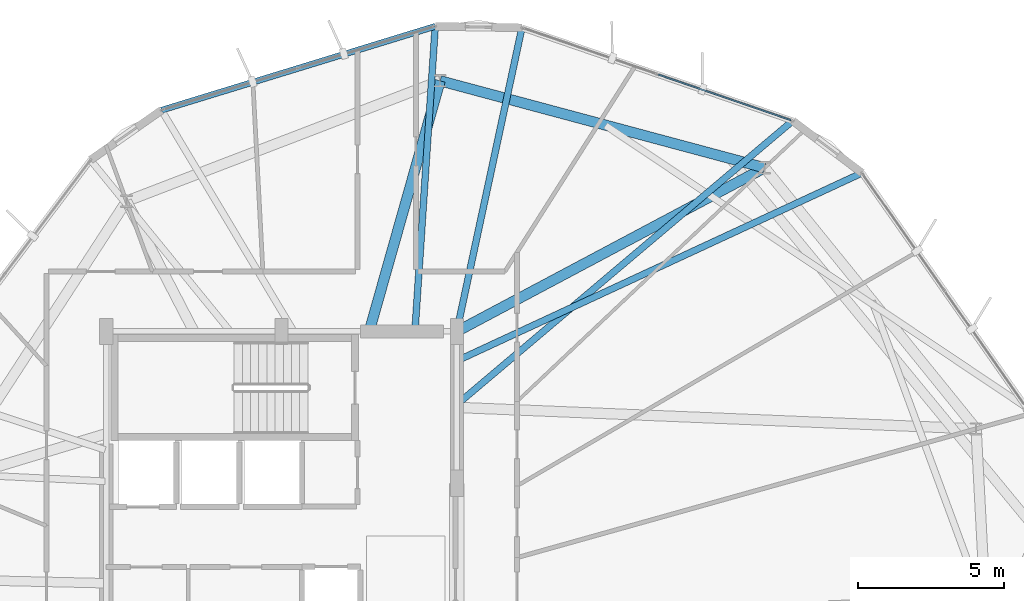
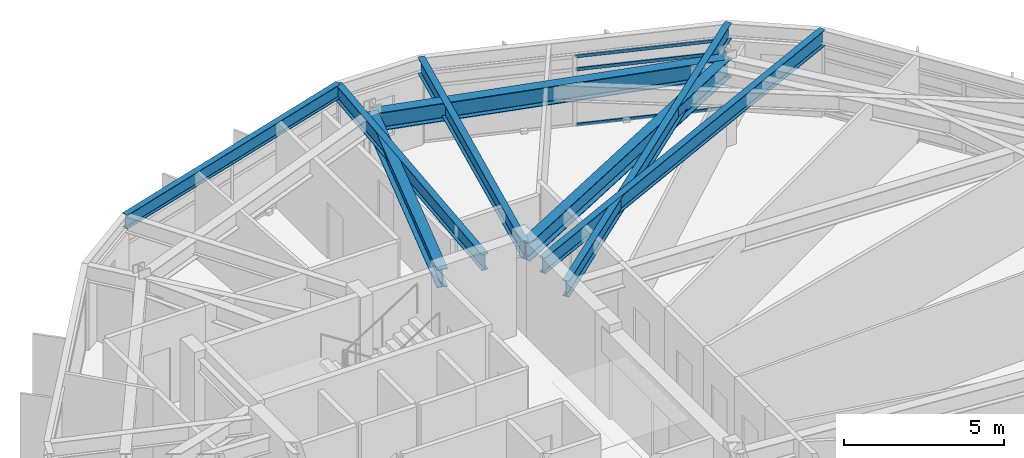
# One storey, part 17 of 29: 8 beams, 3 members, 1 element without a shape of its own.
"""IFC4 building model written with IfcOpenShell, lengths in metres."""

from ifc_helpers import new_model, si_unit, direction, frame, origin, origin_2d, place, context, subcontext, project, spatial, hollow_rectangle, i_section, extrude, material, layer, layer_set, material_profile, profile_set, type_object, element, aggregate, save


model = new_model("IFC4")

# Units and contexts
model_context = context("Model", 3, precision=1e-05, world=origin(), true_north=direction((0.0, 1.0)))
body_context = subcontext(model_context, "Body", "Model", "MODEL_VIEW")
ifc_project = project(units=[si_unit("LENGTHUNIT", "METRE"), si_unit("AREAUNIT", "SQUARE_METRE"), si_unit("VOLUMEUNIT", "CUBIC_METRE"), si_unit("PLANEANGLEUNIT", "RADIAN"), si_unit("MASSUNIT", "GRAM", prefix="KILO")], contexts=[model_context])

# Site, building, storey
site_placement = place(None, origin())
site = spatial("IfcSite", under=ifc_project, at=site_placement, CompositionType="ELEMENT")
building_placement = place(site_placement, origin())
building = spatial("IfcBuilding", under=site, at=building_placement, Name="Soratama Intermodal Tower", CompositionType="ELEMENT")
storey_placement = place(building_placement, frame((0.0, 0.0, 226.60009765625)))
storey = spatial("IfcBuildingStorey", under=building, at=storey_placement, Name="L57", CompositionType="ELEMENT", Elevation=226.60009765625)

# Beams
ifc_material_1 = material(Name="Structural steel ASTM A992 Grade 50", Category="steel")
ifc_material_profile_1 = material_profile(ifc_material_1, i_section(OverallWidth=0.35498046875, OverallDepth=0.695068359375, WebThickness=0.015380859375, FlangeThickness=0.02490234375, FilletRadius=0.01611328125, at=origin_2d()), Name="W27X146")
ifc_profile_set_1 = profile_set([ifc_material_profile_1], Name="Structural steel ASTM A992 Grade 50")
beam_type_1 = type_object("IfcBeamType", Name="BM-RING-W27X146", PredefinedType="BEAM", material=ifc_profile_set_1)
beam_1_placement = place(storey_placement, frame((55.1298828125, 40.59912109375, 2.952392578125), z_axis=(-0.965907374298, 0.258887899055, 0.0), x_axis=(-0.258887899055, -0.965907374298, 0.0)))
element("IfcBeam", 1, at=beam_1_placement, inside=storey, type_object=beam_type_1, Name="BM-L57-RING-02", PredefinedType="BEAM", context=body_context, shape_type="SweptSolid", body=[
    extrude(i_section(OverallWidth=0.35498046875, OverallDepth=0.695068359375, WebThickness=0.015380859375, FlangeThickness=0.02490234375, FilletRadius=0.01611328125, at=origin_2d()), origin(), (0.0, 0.0, 1.0), 11.49462890625),
])
beam_2_placement = place(storey_placement, frame((44.60009765625, 35.0, 2.952392578125), z_axis=(0.882935948236, 0.469493462482, 0.0), x_axis=(-0.469493462482, 0.882935948236, 0.0)))
element("IfcBeam", 2, at=beam_2_placement, inside=storey, type_object=beam_type_1, Name="BM-L57-RAD-02", PredefinedType="BEAM", context=body_context, shape_type="SweptSolid", body=[
    extrude(i_section(OverallWidth=0.35498046875, OverallDepth=0.695068359375, WebThickness=0.015380859375, FlangeThickness=0.02490234375, FilletRadius=0.01611328125, at=origin_2d()), origin(), (0.0, 0.0, 1.0), 11.92578125),
])
beam_3_placement = place(storey_placement, frame((41.60009765625, 35.0, 2.952392578125), z_axis=(0.272335865412, 0.96220225338, 0.0), x_axis=(-0.96220225338, 0.272335865412, 0.0)))
element("IfcBeam", 3, at=beam_3_placement, inside=storey, type_object=beam_type_1, Name="BM-L57-RAD-03", PredefinedType="BEAM", context=body_context, shape_type="SweptSolid", body=[
    extrude(i_section(OverallWidth=0.35498046875, OverallDepth=0.695068359375, WebThickness=0.015380859375, FlangeThickness=0.02490234375, FilletRadius=0.01611328125, at=origin_2d()), origin(), (0.0, 0.0, 1.0), 8.911865234375),
])
ifc_material_2 = material(Name="Structural steel ASTM A992 Grade 50", Category="steel")
ifc_material_profile_2 = material_profile(ifc_material_2, i_section(OverallWidth=0.2099609375, OverallDepth=0.537109375, WebThickness=0.010986328125, FlangeThickness=0.017333984375, FilletRadius=0.012939453125, at=origin_2d()), Name="W21X68")
ifc_profile_set_2 = profile_set([ifc_material_profile_2], Name="Structural steel ASTM A992 Grade 50")
beam_type_2 = type_object("IfcBeamType", Name="BM-SPN-W21X68", PredefinedType="SPANDREL", material=ifc_profile_set_2)
beam_4_placement = place(storey_placement, frame((43.85888671875, 45.43994140625, 3.031494140625), z_axis=(-0.956102253446, -0.293033242064, 0.0), x_axis=(0.293033242064, -0.956102253446, 0.0)))
element("IfcBeam", 4, at=beam_4_placement, inside=storey, type_object=beam_type_2, Name="BS-L57-F02", PredefinedType="SPANDREL", context=body_context, shape_type="SweptSolid", body=[
    extrude(i_section(OverallWidth=0.2099609375, OverallDepth=0.537109375, WebThickness=0.010986328125, FlangeThickness=0.017333984375, FilletRadius=0.012939453125, at=origin_2d()), origin(), (0.0, 0.0, 1.0), 9.797119140625),
])
ifc_material_3 = material(Name="Structural steel ASTM A992 Grade 50", Category="steel")
ifc_material_profile_3 = material_profile(ifc_material_3, i_section(OverallWidth=0.22900390625, OverallDepth=0.612060546875, WebThickness=0.011962890625, FlangeThickness=0.01953125, FilletRadius=0.012939453125, at=origin_2d()), Name="W24X84")
ifc_profile_set_3 = profile_set([ifc_material_profile_3], Name="Structural steel ASTM A992 Grade 50")
beam_type_3 = type_object("IfcBeamType", Name="BM-TIE-W24X84", PredefinedType="BEAM", material=ifc_profile_set_3)
beam_5_placement = place(storey_placement, frame((44.631103515625, 32.52392578125, 2.993896484375), z_axis=(0.76383915119, 0.645406655613, 0.0), x_axis=(-0.645406655613, 0.76383915119, 0.0)))
element("IfcBeam", 5, at=beam_5_placement, inside=storey, type_object=beam_type_3, Name="BM-L57-TIE0-01", PredefinedType="BEAM", context=body_context, shape_type="SweptSolid", body=[
    extrude(i_section(OverallWidth=0.22900390625, OverallDepth=0.612060546875, WebThickness=0.011962890625, FlangeThickness=0.01953125, FilletRadius=0.012939453125, at=origin_2d()), origin(), (0.0, 0.0, 1.0), 15.003173828125),
])
beam_6_placement = place(storey_placement, frame((44.60302734375, 35.0390625, 2.993896484375), z_axis=(0.209880280919, 0.97772709264, 0.0), x_axis=(-0.97772709264, 0.209880280919, 0.0)))
element("IfcBeam", 6, at=beam_6_placement, inside=storey, type_object=beam_type_3, Name="BM-L57-TIE1-01", PredefinedType="BEAM", context=body_context, shape_type="SweptSolid", body=[
    extrude(i_section(OverallWidth=0.22900390625, OverallDepth=0.612060546875, WebThickness=0.011962890625, FlangeThickness=0.01953125, FilletRadius=0.012939453125, at=origin_2d()), origin(), (0.0, 0.0, 1.0), 10.586669921875),
])
beam_7_placement = place(storey_placement, frame((43.1669921875, 35.0400390625, 2.993896484375), z_axis=(0.066382200073, 0.997794269132, 0.0), x_axis=(-0.997794269132, 0.066382200073, 0.0)))
element("IfcBeam", 7, at=beam_7_placement, inside=storey, type_object=beam_type_3, Name="BM-L57-TIE0-02", PredefinedType="BEAM", context=body_context, shape_type="SweptSolid", body=[
    extrude(i_section(OverallWidth=0.22900390625, OverallDepth=0.612060546875, WebThickness=0.011962890625, FlangeThickness=0.01953125, FilletRadius=0.012939453125, at=origin_2d()), origin(), (0.0, 0.0, 1.0), 10.4228515625),
])
beam_8_placement = place(storey_placement, frame((44.635986328125, 34.010009765625, 2.993896484375), z_axis=(0.907161649947, 0.420782296283, 0.0), x_axis=(-0.420782296283, 0.907161649947, 0.0)))
element("IfcBeam", 8, at=beam_8_placement, inside=storey, type_object=beam_type_3, Name="BM-L57-TIE1-10", PredefinedType="BEAM", context=body_context, shape_type="SweptSolid", body=[
    extrude(i_section(OverallWidth=0.22900390625, OverallDepth=0.612060546875, WebThickness=0.011962890625, FlangeThickness=0.01953125, FilletRadius=0.012939453125, at=origin_2d()), origin(), (0.0, 0.0, 1.0), 15.240966796875),
])

# Curtain wall, members
ifc_material_4 = material(Name="Double-glazed aluminium curtain wall", Category="aluminium")
ifc_layer = layer(ifc_material_4, 0.159912109375)
ifc_layer_set = layer_set([ifc_layer], Name="Double-glazed aluminium curtain wall")
curtain_wall_type = type_object("IfcCurtainWallType", Name="CW-SYS-5", PredefinedType="NOTDEFINED", material=ifc_layer_set)
curtain_wall_placement = place(storey_placement, origin())
curtain_wall = element("IfcCurtainWall", 9, at=curtain_wall_placement, inside=storey, type_object=curtain_wall_type, Name="L57 Faceted Curtain Wall F01", PredefinedType="NOTDEFINED")
ifc_material_5 = material(Name="Anodised aluminium AA 6063-T6", Category="aluminium")
ifc_material_profile_4 = material_profile(ifc_material_5, hollow_rectangle(XDim=0.06005859375, YDim=0.1298828125, WallThickness=0.0048828125, InnerFilletRadius=0.0048828125, OuterFilletRadius=0.010009765625, at=origin_2d()), Name="CWT130X60X5")
ifc_profile_set_4 = profile_set([ifc_material_profile_4], Name="Anodised aluminium AA 6063-T6")
member_type = type_object("IfcMemberType", Name="TT-CWT-2", PredefinedType="USERDEFINED", material=ifc_profile_set_4)
member_1_placement = place(storey_placement, frame((56.03466796875, 42.2265625, 0.02978515625), z_axis=(-0.945760222135, 0.324865514061, 0.0), x_axis=(-0.324865514061, -0.945760222135, 0.0)))
member_1 = element("IfcMember", 10, at=member_1_placement, type_object=member_type, Name="CW-5 transom 1.1", ObjectType="TRANSOM", PredefinedType="USERDEFINED", context=body_context, shape_type="SweptSolid", body=[
    extrude(hollow_rectangle(XDim=0.06005859375, YDim=0.1298828125, WallThickness=0.0048828125, InnerFilletRadius=0.0048828125, OuterFilletRadius=0.010009765625, at=origin_2d()), origin(), (0.0, 0.0, 1.0), 4.808837890625),
])
member_2_placement = place(storey_placement, frame((56.03466796875, 42.2265625, 2.14990234375), z_axis=(-0.945760222135, 0.324865514061, 0.0), x_axis=(-0.324865514061, -0.945760222135, 0.0)))
member_2 = element("IfcMember", 11, at=member_2_placement, type_object=member_type, Name="CW-5 transom 1.2", ObjectType="TRANSOM", PredefinedType="USERDEFINED", context=body_context, shape_type="SweptSolid", body=[
    extrude(hollow_rectangle(XDim=0.06005859375, YDim=0.1298828125, WallThickness=0.0048828125, InnerFilletRadius=0.0048828125, OuterFilletRadius=0.010009765625, at=origin_2d()), origin(), (0.0, 0.0, 1.0), 4.808837890625),
])
member_3_placement = place(storey_placement, frame((56.03466796875, 42.2265625, 2.64892578125), z_axis=(-0.945760222135, 0.324865514061, 0.0), x_axis=(-0.324865514061, -0.945760222135, 0.0)))
member_3 = element("IfcMember", 12, at=member_3_placement, type_object=member_type, Name="CW-5 transom 1.3", ObjectType="TRANSOM", PredefinedType="USERDEFINED", context=body_context, shape_type="SweptSolid", body=[
    extrude(hollow_rectangle(XDim=0.06005859375, YDim=0.1298828125, WallThickness=0.0048828125, InnerFilletRadius=0.0048828125, OuterFilletRadius=0.010009765625, at=origin_2d()), origin(), (0.0, 0.0, 1.0), 4.808837890625),
])
aggregate(curtain_wall, [member_1, member_2, member_3])

save(model, "model.ifc")
